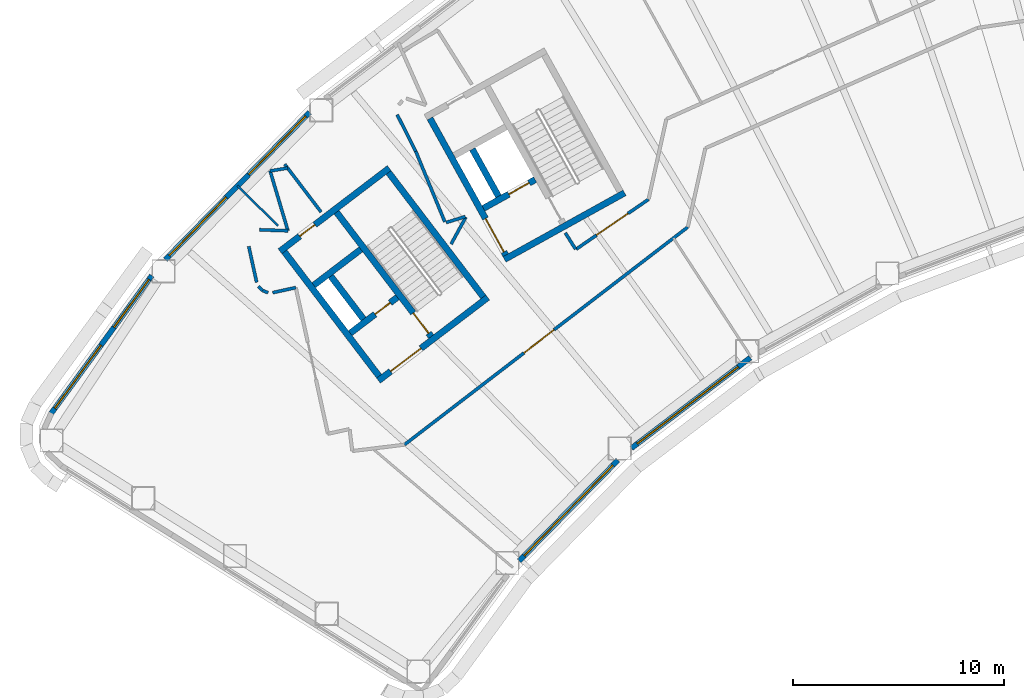
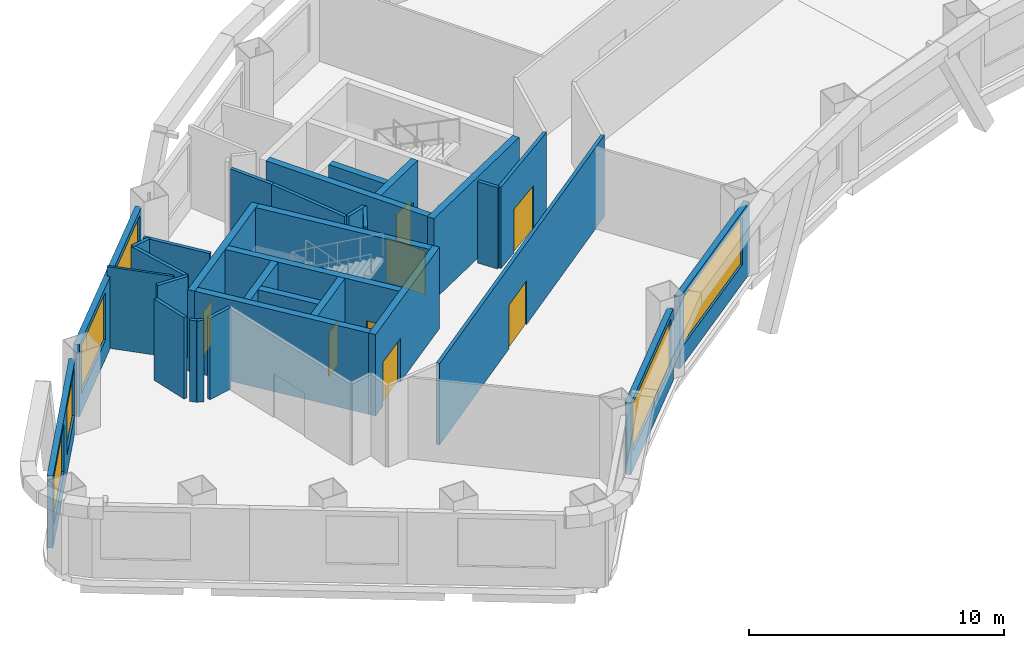
# One storey, part 3 of 13: 32 walls, 8 doors, 6 windows, 14 openings.
"""IFC4 building model written with IfcOpenShell, lengths in metres."""

from ifc_helpers import new_model, si_unit, direction, frame, frame_2d, origin, place, context, subcontext, project, spatial, rectangle, extrude, material, layer, layer_set, type_object, element, fill, save


model = new_model("IFC4")

# Units and contexts
model_context = context("Model", 3, precision=1e-05, world=origin(), true_north=direction((0.0, 1.0)))
body_context = subcontext(model_context, "Body", "Model", "MODEL_VIEW")
ifc_project = project(units=[si_unit("LENGTHUNIT", "METRE"), si_unit("AREAUNIT", "SQUARE_METRE"), si_unit("VOLUMEUNIT", "CUBIC_METRE"), si_unit("PLANEANGLEUNIT", "RADIAN"), si_unit("MASSUNIT", "GRAM", prefix="KILO")], contexts=[model_context])

# Site, building, storey
site_placement = place(None, origin())
site = spatial("IfcSite", under=ifc_project, at=site_placement, CompositionType="ELEMENT")
building_placement = place(site_placement, origin())
building = spatial("IfcBuilding", under=site, at=building_placement, Name="Tuul Gate Civic Tower", CompositionType="ELEMENT")
storey_placement = place(building_placement, frame((0.0, 0.0, 111.89990234375)))
storey = spatial("IfcBuildingStorey", under=building, at=storey_placement, Name="Level 25", CompositionType="ELEMENT", Elevation=111.89990234375)

# Wall, opening, door
ifc_material_1 = material(Name="Concrete C50/60", Category="concrete")
ifc_layer_1 = layer(ifc_material_1, 0.300048828125)
ifc_layer_set_1 = layer_set([ifc_layer_1], Name="Concrete C50/60")
wall_type_1 = type_object("IfcWallType", Name="Core wall C50/60", PredefinedType="SHEAR", material=ifc_layer_set_1)
wall_1_placement = place(storey_placement, frame((-31.19091796875, -13.669677734375, 0.0), z_axis=(0.0, 0.0, 1.0), x_axis=(-0.795606717756, -0.605813461934, 0.0)))
wall_1 = element("IfcWall", 1, at=wall_1_placement, inside=storey, type_object=wall_type_1, Name="Core wall", PredefinedType="SHEAR", context=body_context, shape_type="SweptSolid", body=[
    extrude(rectangle(XDim=6.5, YDim=0.300048828125, at=frame_2d((3.25, 0.0))), origin(), (0.0, 0.0, 1.0), 3.900146484375),
])
opening_1_placement = place(wall_1_placement, frame((3.97509765625, 0.0, 0.0)))
opening_1 = element("IfcOpeningElement", 2, at=opening_1_placement, cuts=wall_1, Name="Opening LB-W1-LOBBY-1", PredefinedType="OPENING", context=body_context, shape_type="SweptSolid", body=[
    extrude(rectangle(XDim=1.800048828125, YDim=2.10009765625, at=frame_2d((0.89990234375, 1.050048828125))), frame((0.0, 0.16015625, 0.0), z_axis=(0.0, -1.0, 0.0), x_axis=(1.0, 0.0, 0.0)), (0.0, 0.0, 1.0), 0.320068359375),
])
ifc_material_2 = material(Name="Steel", Category="steel")
door_type_1 = type_object("IfcDoorType", Name="Lobby door", OperationType="DOUBLE_DOOR_SINGLE_SWING", PredefinedType="DOOR", material=ifc_material_2)
door_1_placement = place(opening_1_placement, origin())
door_1 = element("IfcDoor", 3, at=door_1_placement, inside=storey, type_object=door_type_1, Name="Lobby door W1-LOBBY", OperationType="DOUBLE_DOOR_SINGLE_SWING", OverallHeight=2.10009765625, OverallWidth=1.800048828125, PredefinedType="DOOR", context=body_context, shape_type="SweptSolid", body=[
    extrude(rectangle(XDim=1.800048828125, YDim=2.10009765625, at=frame_2d((0.89990234375, 1.050048828125))), frame((0.0, 0.02490234375, 0.0), z_axis=(0.0, -1.0, 0.0), x_axis=(1.0, 0.0, 0.0)), (0.0, 0.0, 1.0), 0.050048828125),
])
fill(opening_1, door_1)

wall_2_placement = place(storey_placement, frame((-35.470947265625, -13.66064453125, 0.0), z_axis=(0.0, 0.0, 1.0), x_axis=(-0.795615822227, -0.605801504968, 0.0)))
wall_2 = element("IfcWall", 4, at=wall_2_placement, inside=storey, type_object=wall_type_1, Name="Core wall", PredefinedType="SHEAR", context=body_context, shape_type="SweptSolid", body=[
    extrude(rectangle(XDim=2.800048828125, YDim=0.300048828125, at=frame_2d((1.39990234375, 0.0))), origin(), (0.0, 0.0, 1.0), 3.900146484375),
])
opening_2_placement = place(wall_2_placement, frame((0.425048828125, 0.0, 0.0)))
opening_2 = element("IfcOpeningElement", 5, at=opening_2_placement, cuts=wall_2, Name="Opening FB-W1A1", PredefinedType="OPENING", context=body_context, shape_type="SweptSolid", body=[
    extrude(rectangle(XDim=0.89990234375, YDim=2.10009765625, at=frame_2d((0.449951171875, 1.050048828125))), frame((0.0, 0.16015625, 0.0), z_axis=(0.0, -1.0, 0.0), x_axis=(1.0, 0.0, 0.0)), (0.0, 0.0, 1.0), 0.320068359375),
])
ifc_material_3 = material(Name="Steel", Category="steel")
door_type_2 = type_object("IfcDoorType", Name="Store door", OperationType="NOTDEFINED", PredefinedType="DOOR", material=ifc_material_3)
door_2_placement = place(opening_2_placement, frame((0.89990234375, 0.0, 0.0), z_axis=(0.0, 0.0, 1.0), x_axis=(-1.0, 0.0, 0.0)))
door_2 = element("IfcDoor", 6, at=door_2_placement, inside=storey, type_object=door_type_2, Name="Store door W1A1", OperationType="SINGLE_SWING_RIGHT", OverallHeight=2.10009765625, OverallWidth=0.89990234375, PredefinedType="DOOR", context=body_context, shape_type="SweptSolid", body=[
    extrude(rectangle(XDim=0.89990234375, YDim=2.10009765625, at=frame_2d((0.449951171875, 1.050048828125))), frame((0.0, 0.02490234375, 0.0), z_axis=(0.0, -1.0, 0.0), x_axis=(1.0, 0.0, 0.0)), (0.0, 0.0, 1.0), 0.050048828125),
])
fill(opening_2, door_2)

# Wall
wall_3_placement = place(storey_placement, frame((-37.197509765625, -11.39306640625, 0.0), z_axis=(0.0, 0.0, 1.0), x_axis=(-0.795583820278, -0.605843531707, 0.0)))
element("IfcWall", 7, at=wall_3_placement, inside=storey, type_object=wall_type_1, Name="Core wall", PredefinedType="SHEAR", context=body_context, shape_type="SweptSolid", body=[
    extrude(rectangle(XDim=2.7998046875, YDim=0.300048828125, at=frame_2d((1.39990234375, 0.0))), origin(), (0.0, 0.0, 1.0), 3.900146484375),
])

# Wall, opening, door
wall_4_placement = place(storey_placement, frame((-35.855224609375, -7.543212890625, 0.0), z_axis=(0.0, 0.0, 1.0), x_axis=(-0.79563860527, -0.605771582202, 0.0)))
wall_4 = element("IfcWall", 8, at=wall_4_placement, inside=storey, type_object=wall_type_1, Name="Core wall", PredefinedType="SHEAR", context=body_context, shape_type="SweptSolid", body=[
    extrude(rectangle(XDim=6.5, YDim=0.300048828125, at=frame_2d((3.25, 0.0))), origin(), (0.0, 0.0, 1.0), 3.900146484375),
])
opening_3_placement = place(wall_4_placement, frame((4.425048828125, 0.0, 0.0)))
opening_3 = element("IfcOpeningElement", 9, at=opening_3_placement, cuts=wall_4, Name="Opening H-D17", PredefinedType="OPENING", context=body_context, shape_type="SweptSolid", body=[
    extrude(rectangle(XDim=0.89990234375, YDim=2.10009765625, at=frame_2d((0.449951171875, 1.050048828125))), frame((0.0, 0.16015625, 0.0), z_axis=(0.0, -1.0, 0.0), x_axis=(1.0, 0.0, 0.0)), (0.0, 0.0, 1.0), 0.320068359375),
])
ifc_material_4 = material(Name="Timber door leaf", Category="wood")
door_type_3 = type_object("IfcDoorType", Name="Door D09", OperationType="NOTDEFINED", PredefinedType="DOOR", material=ifc_material_4)
door_3_placement = place(opening_3_placement, origin())
door_3 = element("IfcDoor", 10, at=door_3_placement, inside=storey, type_object=door_type_3, Name="Door H-D17", OperationType="SINGLE_SWING_LEFT", OverallHeight=2.10009765625, OverallWidth=0.89990234375, PredefinedType="DOOR", context=body_context, shape_type="SweptSolid", body=[
    extrude(rectangle(XDim=0.89990234375, YDim=2.10009765625, at=frame_2d((0.449951171875, 1.050048828125))), frame((0.0, 0.02490234375, 0.0), z_axis=(0.0, -1.0, 0.0), x_axis=(1.0, 0.0, 0.0)), (0.0, 0.0, 1.0), 0.050048828125),
])
fill(opening_3, door_3)

# Wall
wall_5_placement = place(storey_placement, frame((-31.401123046875, -13.64111328125, 0.0), z_axis=(0.0, 0.0, 1.0), x_axis=(-0.605769822278, 0.795639945213, 0.0)))
element("IfcWall", 11, at=wall_5_placement, inside=storey, type_object=wall_type_1, Name="Core wall", PredefinedType="SHEAR", context=body_context, shape_type="SweptSolid", body=[
    extrude(rectangle(XDim=7.39990234375, YDim=0.300048828125, at=frame_2d((3.699951171875, 0.0))), origin(), (0.0, 0.0, 1.0), 3.900146484375),
])

# Wall, opening, door
wall_6_placement = place(storey_placement, frame((-33.867431640625, -15.51904296875, 0.0), z_axis=(0.0, 0.0, 1.0), x_axis=(-0.605769822278, 0.795639945213, 0.0)))
wall_6 = element("IfcWall", 12, at=wall_6_placement, inside=storey, type_object=wall_type_1, Name="Core wall", PredefinedType="SHEAR", context=body_context, shape_type="SweptSolid", body=[
    extrude(rectangle(XDim=7.39990234375, YDim=0.300048828125, at=frame_2d((3.699951171875, 0.0))), origin(), (0.0, 0.0, 1.0), 3.900146484375),
])
opening_4_placement = place(wall_6_placement, frame((0.199951171875, 0.0, 0.0)))
opening_4 = element("IfcOpeningElement", 13, at=opening_4_placement, cuts=wall_6, Name="Opening SD-ST-1", PredefinedType="OPENING", context=body_context, shape_type="SweptSolid", body=[
    extrude(rectangle(XDim=1.199951171875, YDim=2.10009765625, at=frame_2d((0.60009765625, 1.050048828125))), frame((0.0, 0.16015625, 0.0), z_axis=(0.0, -1.0, 0.0), x_axis=(1.0, 0.0, 0.0)), (0.0, 0.0, 1.0), 0.320068359375),
])
ifc_material_5 = material(Name="Steel", Category="steel")
door_type_4 = type_object("IfcDoorType", Name="Stair door", OperationType="NOTDEFINED", PredefinedType="DOOR", material=ifc_material_5)
door_4_placement = place(opening_4_placement, origin())
door_4 = element("IfcDoor", 14, at=door_4_placement, inside=storey, type_object=door_type_4, Name="Stair door ST-1", OperationType="SINGLE_SWING_LEFT", OverallHeight=2.10009765625, OverallWidth=1.199951171875, PredefinedType="DOOR", context=body_context, shape_type="SweptSolid", body=[
    extrude(rectangle(XDim=1.199951171875, YDim=2.10009765625, at=frame_2d((0.60009765625, 1.050048828125))), frame((0.0, 0.02490234375, 0.0), z_axis=(0.0, -1.0, 0.0), x_axis=(1.0, 0.0, 0.0)), (0.0, 0.0, 1.0), 0.050048828125),
])
fill(opening_4, door_4)

# Walls
wall_7_placement = place(storey_placement, frame((-37.073486328125, -14.6923828125, 0.0), z_axis=(0.0, 0.0, 1.0), x_axis=(-0.605728760074, 0.79567120673, 0.0)))
element("IfcWall", 15, at=wall_7_placement, inside=storey, type_object=wall_type_1, Name="Core wall", PredefinedType="SHEAR", context=body_context, shape_type="SweptSolid", body=[
    extrude(rectangle(XDim=2.550048828125, YDim=0.300048828125, at=frame_2d((1.27490234375, 0.0))), origin(), (0.0, 0.0, 1.0), 3.900146484375),
])
wall_8_placement = place(storey_placement, frame((-36.333984375, -17.397216796875, 0.0), z_axis=(0.0, 0.0, 1.0), x_axis=(-0.605753921168, 0.795652051458, 0.0)))
element("IfcWall", 16, at=wall_8_placement, inside=storey, type_object=wall_type_1, Name="Core wall", PredefinedType="SHEAR", context=body_context, shape_type="SweptSolid", body=[
    extrude(rectangle(XDim=7.400146484375, YDim=0.300048828125, at=frame_2d((3.7001953125, 0.0))), origin(), (0.0, 0.0, 1.0), 3.900146484375),
])
wall_9_placement = place(storey_placement, frame((-24.711669921875, -8.7158203125, 0.0), z_axis=(0.0, 0.0, 1.0), x_axis=(-0.874629909008, -0.484791215132, 0.0)))
element("IfcWall", 17, at=wall_9_placement, inside=storey, type_object=wall_type_1, Name="Core wall", PredefinedType="SHEAR", context=body_context, shape_type="SweptSolid", body=[
    extrude(rectangle(XDim=6.5, YDim=0.300048828125, at=frame_2d((3.25, 0.0))), origin(), (0.0, 0.0, 1.0), 3.900146484375),
])

# Wall, opening, door
wall_10_placement = place(storey_placement, frame((-28.94580078125, -8.090087890625, 0.0), z_axis=(0.0, 0.0, 1.0), x_axis=(-0.874629840737, -0.484791338301, 0.0)))
wall_10 = element("IfcWall", 18, at=wall_10_placement, inside=storey, type_object=wall_type_1, Name="Core wall", PredefinedType="SHEAR", context=body_context, shape_type="SweptSolid", body=[
    extrude(rectangle(XDim=2.800048828125, YDim=0.300048828125, at=frame_2d((1.39990234375, 0.0))), origin(), (0.0, 0.0, 1.0), 3.900146484375),
])
opening_5_placement = place(wall_10_placement, frame((0.324951171875, 0.0, 0.0)))
opening_5 = element("IfcOpeningElement", 19, at=opening_5_placement, cuts=wall_10, Name="Opening LD-FF-1", PredefinedType="OPENING", context=body_context, shape_type="SweptSolid", body=[
    extrude(rectangle(XDim=1.10009765625, YDim=2.10009765625, at=frame_2d((0.550048828125, 1.050048828125))), frame((0.0, 0.16015625, 0.0), z_axis=(0.0, -1.0, 0.0), x_axis=(1.0, 0.0, 0.0)), (0.0, 0.0, 1.0), 0.320068359375),
])
ifc_material_6 = material(Name="Stainless steel", Category="steel")
door_type_5 = type_object("IfcDoorType", Name="Landing door", OperationType="DOUBLE_DOOR_SLIDING", PredefinedType="DOOR", material=ifc_material_6)
door_5_placement = place(opening_5_placement, origin())
door_5 = element("IfcDoor", 20, at=door_5_placement, inside=storey, type_object=door_type_5, Name="Fire-fighting lift FF-1 landing door", OperationType="DOUBLE_DOOR_SLIDING", OverallHeight=2.10009765625, OverallWidth=1.10009765625, PredefinedType="DOOR", context=body_context, shape_type="SweptSolid", body=[
    extrude(rectangle(XDim=1.10009765625, YDim=2.10009765625, at=frame_2d((0.550048828125, 1.050048828125))), frame((0.0, 0.02490234375, 0.0), z_axis=(0.0, -1.0, 0.0), x_axis=(1.0, 0.0, 0.0)), (0.0, 0.0, 1.0), 0.050048828125),
])
fill(opening_5, door_5)

# Wall
wall_11_placement = place(storey_placement, frame((-30.680419921875, -8.8798828125, 0.0), z_axis=(0.0, 0.0, 1.0), x_axis=(-0.484724115216, 0.874667097888, 0.0)))
element("IfcWall", 21, at=wall_11_placement, inside=storey, type_object=wall_type_1, Name="Core wall", PredefinedType="SHEAR", context=body_context, shape_type="SweptSolid", body=[
    extrude(rectangle(XDim=2.550048828125, YDim=0.300048828125, at=frame_2d((1.27490234375, 0.0))), origin(), (0.0, 0.0, 1.0), 3.900146484375),
])

# Wall, opening, door
wall_12_placement = place(storey_placement, frame((-30.33837890625, -11.6630859375, 0.0), z_axis=(0.0, 0.0, 1.0), x_axis=(-0.484751894226, 0.874651702704, 0.0)))
wall_12 = element("IfcWall", 22, at=wall_12_placement, inside=storey, type_object=wall_type_1, Name="Core wall", PredefinedType="SHEAR", context=body_context, shape_type="SweptSolid", body=[
    extrude(rectangle(XDim=7.39990234375, YDim=0.300048828125, at=frame_2d((3.699951171875, 0.0))), origin(), (0.0, 0.0, 1.0), 3.900146484375),
])
opening_6_placement = place(wall_12_placement, frame((0.175048828125, 0.0, 0.0)))
opening_6 = element("IfcOpeningElement", 23, at=opening_6_placement, cuts=wall_12, Name="Opening LB-W2-FLOBBY-1", PredefinedType="OPENING", context=body_context, shape_type="SweptSolid", body=[
    extrude(rectangle(XDim=1.800048828125, YDim=2.10009765625, at=frame_2d((0.89990234375, 1.050048828125))), frame((0.0, 0.16015625, 0.0), z_axis=(0.0, -1.0, 0.0), x_axis=(1.0, 0.0, 0.0)), (0.0, 0.0, 1.0), 0.320068359375),
])
door_6_placement = place(opening_6_placement, frame((1.800048828125, 0.0, 0.0), z_axis=(0.0, 0.0, 1.0), x_axis=(-1.0, 0.0, 0.0)))
door_6 = element("IfcDoor", 24, at=door_6_placement, inside=storey, type_object=door_type_1, Name="Lobby door W2-FLOBBY", OperationType="DOUBLE_DOOR_SINGLE_SWING", OverallHeight=2.10009765625, OverallWidth=1.800048828125, PredefinedType="DOOR", context=body_context, shape_type="SweptSolid", body=[
    extrude(rectangle(XDim=1.800048828125, YDim=2.10009765625, at=frame_2d((0.900146484375, 1.050048828125))), frame((0.0, 0.02490234375, 0.0), z_axis=(0.0, -1.0, 0.0), x_axis=(1.0, 0.0, 0.0)), (0.0, 0.0, 1.0), 0.050048828125),
])
fill(opening_6, door_6)

ifc_material_7 = material(Name="Gypsum board partition")
ifc_layer_2 = layer(ifc_material_7, 0.14990234375)
ifc_layer_set_2 = layer_set([ifc_layer_2], Name="Gypsum board partition")
wall_type_2 = type_object("IfcWallType", Name="Corridor wall P150", PredefinedType="PARTITIONING", material=ifc_layer_set_2)
wall_13_placement = place(storey_placement, frame((-27.004638671875, -11.3837890625, 0.0), z_axis=(0.0, 0.0, 1.0), x_axis=(0.823611795326, 0.567153956699, 0.0)))
wall_13 = element("IfcWall", 25, at=wall_13_placement, inside=storey, type_object=wall_type_2, Name="p029", PredefinedType="PARTITIONING", context=body_context, shape_type="SweptSolid", body=[
    extrude(rectangle(XDim=4.1591796875, YDim=0.14990234375, at=frame_2d((2.07958984375, 0.0))), origin(), (0.0, 0.0, 1.0), 3.900146484375),
])
opening_7_placement = place(wall_13_placement, frame((1.1796875, 0.0, 0.0)))
opening_7 = element("IfcOpeningElement", 26, at=opening_7_placement, cuts=wall_13, Name="Opening H-D09", PredefinedType="OPENING", context=body_context, shape_type="SweptSolid", body=[
    extrude(rectangle(XDim=1.800048828125, YDim=2.10009765625, at=frame_2d((0.89990234375, 1.050048828125))), frame((0.0, 0.0849609375, 0.0), z_axis=(0.0, -1.0, 0.0), x_axis=(1.0, 0.0, 0.0)), (0.0, 0.0, 1.0), 0.169921875),
])
ifc_material_8 = material(Name="Timber door leaf, double", Category="wood")
door_type_6 = type_object("IfcDoorType", Name="Door D18", OperationType="DOUBLE_DOOR_SINGLE_SWING", PredefinedType="DOOR", material=ifc_material_8)
door_7_placement = place(opening_7_placement, frame((1.800048828125, 0.0, 0.0), z_axis=(0.0, 0.0, 1.0), x_axis=(-1.0, 0.0, 0.0)))
door_7 = element("IfcDoor", 27, at=door_7_placement, inside=storey, type_object=door_type_6, Name="Door H-D09", OperationType="DOUBLE_DOOR_SINGLE_SWING", OverallHeight=2.10009765625, OverallWidth=1.800048828125, PredefinedType="DOOR", context=body_context, shape_type="SweptSolid", body=[
    extrude(rectangle(XDim=1.800048828125, YDim=2.10009765625, at=frame_2d((0.900146484375, 1.050048828125))), frame((0.0, 0.02490234375, 0.0), z_axis=(0.0, -1.0, 0.0), x_axis=(1.0, 0.0, 0.0)), (0.0, 0.0, 1.0), 0.050048828125),
])
fill(opening_7, door_7)

# Walls
wall_14_placement = place(storey_placement, frame((-27.515625, -10.613037109375, 0.0), z_axis=(0.0, 0.0, 1.0), x_axis=(0.533078253111, -0.846065940728, 0.0)))
element("IfcWall", 28, at=wall_14_placement, inside=storey, type_object=wall_type_2, Name="p031", PredefinedType="PARTITIONING", context=body_context, shape_type="SweptSolid", body=[
    extrude(rectangle(XDim=0.904052734375, YDim=0.14990234375, at=frame_2d((0.4521484375, 0.0))), origin(), (0.0, 0.0, 1.0), 3.900146484375),
])
wall_15_placement = place(storey_placement, frame((-35.477294921875, -5.01611328125, 0.0), z_axis=(0.0, 0.0, 1.0), x_axis=(0.452429691742, -0.891800075146, 0.0)))
element("IfcWall", 29, at=wall_15_placement, inside=storey, type_object=wall_type_2, Name="p036", PredefinedType="PARTITIONING", context=body_context, shape_type="SweptSolid", body=[
    extrude(rectangle(XDim=1.9443359375, YDim=0.14990234375, at=frame_2d((0.97216796875, 0.0))), origin(), (0.0, 0.0, 1.0), 3.900146484375),
])
wall_16_placement = place(storey_placement, frame((-34.59765625, -6.75, 0.0), z_axis=(0.0, 0.0, 1.0), x_axis=(0.381059292189, -0.924550602096, 0.0)))
element("IfcWall", 30, at=wall_16_placement, inside=storey, type_object=wall_type_2, Name="p038", PredefinedType="PARTITIONING", context=body_context, shape_type="SweptSolid", body=[
    extrude(rectangle(XDim=3.6103515625, YDim=0.14990234375, at=frame_2d((1.80517578125, 0.0))), origin(), (0.0, 0.0, 1.0), 3.900146484375),
])
wall_17_placement = place(storey_placement, frame((-33.16357421875, -10.122314453125, 0.0), z_axis=(0.0, 0.0, 1.0), x_axis=(0.955346142768, 0.295488997254, 0.0)))
element("IfcWall", 31, at=wall_17_placement, inside=storey, type_object=wall_type_2, Name="p039", PredefinedType="PARTITIONING", context=body_context, shape_type="SweptSolid", body=[
    extrude(rectangle(XDim=0.953369140625, YDim=0.14990234375, at=frame_2d((0.4765625, 0.0))), origin(), (0.0, 0.0, 1.0), 3.900146484375),
])
wall_18_placement = place(storey_placement, frame((-32.92578125, -11.143310546875, 0.0), z_axis=(0.0, 0.0, 1.0), x_axis=(0.47973548541, 0.877413166096, 0.0)))
element("IfcWall", 32, at=wall_18_placement, inside=storey, type_object=wall_type_2, Name="p040", PredefinedType="PARTITIONING", context=body_context, shape_type="SweptSolid", body=[
    extrude(rectangle(XDim=1.451904296875, YDim=0.14990234375, at=frame_2d((0.72607421875, 0.0))), origin(), (0.0, 0.0, 1.0), 3.900146484375),
])
wall_19_placement = place(storey_placement, frame((-40.8037109375, -7.359130859375, 0.0), z_axis=(0.0, 0.0, 1.0), x_axis=(0.605725078966, -0.795674009071, 0.0)))
element("IfcWall", 33, at=wall_19_placement, inside=storey, type_object=wall_type_2, Name="p041", PredefinedType="PARTITIONING", context=body_context, shape_type="SweptSolid", body=[
    extrude(rectangle(XDim=2.84423828125, YDim=0.14990234375, at=frame_2d((1.422119140625, 0.0))), origin(), (0.0, 0.0, 1.0), 3.900146484375),
])
wall_20_placement = place(storey_placement, frame((-41.4931640625, -7.67822265625, 0.0), z_axis=(0.0, 0.0, 1.0), x_axis=(0.986914959922, 0.161241625775, 0.0)))
element("IfcWall", 34, at=wall_20_placement, inside=storey, type_object=wall_type_2, Name="p042", PredefinedType="PARTITIONING", context=body_context, shape_type="SweptSolid", body=[
    extrude(rectangle(XDim=0.84033203125, YDim=0.14990234375, at=frame_2d((0.420166015625, 0.0))), origin(), (0.0, 0.0, 1.0), 3.900146484375),
])
wall_21_placement = place(storey_placement, frame((-41.4931640625, -7.67822265625, 0.0), z_axis=(0.0, 0.0, 1.0), x_axis=(0.285339395908, -0.958426538209, 0.0)))
element("IfcWall", 35, at=wall_21_placement, inside=storey, type_object=wall_type_2, Name="p043", PredefinedType="PARTITIONING", context=body_context, shape_type="SweptSolid", body=[
    extrude(rectangle(XDim=2.9560546875, YDim=0.14990234375, at=frame_2d((1.47802734375, 0.0))), origin(), (0.0, 0.0, 1.0), 3.900146484375),
])
wall_22_placement = place(storey_placement, frame((-42.003173828125, -10.4638671875, 0.0), z_axis=(0.0, 0.0, 1.0), x_axis=(0.999381997764, -0.035151423082, 0.0)))
element("IfcWall", 36, at=wall_22_placement, inside=storey, type_object=wall_type_2, Name="p045", PredefinedType="PARTITIONING", context=body_context, shape_type="SweptSolid", body=[
    extrude(rectangle(XDim=1.354248046875, YDim=0.14990234375, at=frame_2d((0.67724609375, 0.0))), origin(), (0.0, 0.0, 1.0), 3.900146484375),
])
wall_23_placement = place(storey_placement, frame((-42.505126953125, -11.248779296875, 0.0), z_axis=(0.0, 0.0, 1.0), x_axis=(0.214674657513, -0.976685615447, 0.0)))
element("IfcWall", 37, at=wall_23_placement, inside=storey, type_object=wall_type_2, Name="p047", PredefinedType="PARTITIONING", context=body_context, shape_type="SweptSolid", body=[
    extrude(rectangle(XDim=1.7421875, YDim=0.14990234375, at=frame_2d((0.87109375, 0.0))), origin(), (0.0, 0.0, 1.0), 3.900146484375),
])
wall_24_placement = place(storey_placement, frame((-42.047607421875, -13.14404296875, 0.0), z_axis=(0.0, 0.0, 1.0), x_axis=(0.714510426493, -0.699624792608, 0.0)))
element("IfcWall", 38, at=wall_24_placement, inside=storey, type_object=wall_type_2, Name="p048", PredefinedType="PARTITIONING", context=body_context, shape_type="SweptSolid", body=[
    extrude(rectangle(XDim=0.27880859375, YDim=0.14990234375, at=frame_2d((0.139404296875, 0.0))), origin(), (0.0, 0.0, 1.0), 3.900146484375),
])
wall_25_placement = place(storey_placement, frame((-41.848388671875, -13.339111328125, 0.0), z_axis=(0.0, 0.0, 1.0), x_axis=(0.927514396304, -0.373787432438, 0.0)))
element("IfcWall", 39, at=wall_25_placement, inside=storey, type_object=wall_type_2, Name="p049", PredefinedType="PARTITIONING", context=body_context, shape_type="SweptSolid", body=[
    extrude(rectangle(XDim=0.28076171875, YDim=0.14990234375, at=frame_2d((0.140380859375, 0.0))), origin(), (0.0, 0.0, 1.0), 3.900146484375),
])
wall_26_placement = place(storey_placement, frame((-41.370361328125, -13.44140625, 0.0), z_axis=(0.0, 0.0, 1.0), x_axis=(0.976662802871, 0.214778419513, 0.0)))
element("IfcWall", 40, at=wall_26_placement, inside=storey, type_object=wall_type_2, Name="p050", PredefinedType="PARTITIONING", context=body_context, shape_type="SweptSolid", body=[
    extrude(rectangle(XDim=1.117431640625, YDim=0.14990234375, at=frame_2d((0.55859375, 0.0))), origin(), (0.0, 0.0, 1.0), 3.900146484375),
])

# Wall, opening, door
wall_27_placement = place(storey_placement, frame((-35.131103515625, -20.638671875, 0.0), z_axis=(0.0, 0.0, 1.0), x_axis=(0.793050354542, 0.6091560844, 0.0)))
wall_27 = element("IfcWall", 41, at=wall_27_placement, inside=storey, type_object=wall_type_2, Name="p070", PredefinedType="PARTITIONING", context=body_context, shape_type="SweptSolid", body=[
    extrude(rectangle(XDim=16.9150390625, YDim=0.14990234375, at=frame_2d((8.45751953125, 0.0))), origin(), (0.0, 0.0, 1.0), 3.900146484375),
])
opening_8_placement = place(wall_27_placement, frame((7.128173828125, 0.0, 0.0)))
opening_8 = element("IfcOpeningElement", 42, at=opening_8_placement, cuts=wall_27, Name="Opening H-D13", PredefinedType="OPENING", context=body_context, shape_type="SweptSolid", body=[
    extrude(rectangle(XDim=1.800048828125, YDim=2.10009765625, at=frame_2d((0.89990234375, 1.050048828125))), frame((0.0, 0.0849609375, 0.0), z_axis=(0.0, -1.0, 0.0), x_axis=(1.0, 0.0, 0.0)), (0.0, 0.0, 1.0), 0.169921875),
])
door_8_placement = place(opening_8_placement, frame((1.800048828125, 0.0, 0.0), z_axis=(0.0, 0.0, 1.0), x_axis=(-1.0, 0.0, 0.0)))
door_8 = element("IfcDoor", 43, at=door_8_placement, inside=storey, type_object=door_type_6, Name="Door H-D13", OperationType="DOUBLE_DOOR_SINGLE_SWING", OverallHeight=2.10009765625, OverallWidth=1.800048828125, PredefinedType="DOOR", context=body_context, shape_type="SweptSolid", body=[
    extrude(rectangle(XDim=1.800048828125, YDim=2.10009765625, at=frame_2d((0.900146484375, 1.050048828125))), frame((0.0, 0.02490234375, 0.0), z_axis=(0.0, -1.0, 0.0), x_axis=(1.0, 0.0, 0.0)), (0.0, 0.0, 1.0), 0.050048828125),
])
fill(opening_8, door_8)

# Wall, openings, windows
ifc_material_9 = material(Name="Precast concrete C40/50", Category="concrete")
ifc_layer_3 = layer(ifc_material_9, 0.25)
ifc_layer_set_3 = layer_set([ifc_layer_3], Name="Precast concrete C40/50")
wall_type_3 = type_object("IfcWallType", Name="External wall", PredefinedType="STANDARD", material=ifc_layer_set_3)
wall_28_placement = place(storey_placement, frame((-39.618896484375, -4.901611328125, 0.0), z_axis=(0.0, 0.0, 1.0), x_axis=(-0.699999704783, -0.714143132224, 0.0)))
wall_28 = element("IfcWall", 44, at=wall_28_placement, inside=storey, type_object=wall_type_3, Name="External wall", PredefinedType="STANDARD", context=body_context, shape_type="SweptSolid", body=[
    extrude(rectangle(XDim=9.770263671875, YDim=0.25, at=frame_2d((4.88525390625, 0.0))), origin(), (0.0, 0.0, 1.0), 3.4501953125),
])
opening_9_placement = place(wall_28_placement, frame((0.273193359375, 0.0, 0.89990234375)))
opening_9 = element("IfcOpeningElement", 45, at=opening_9_placement, cuts=wall_28, Name="Opening W22", PredefinedType="OPENING", context=body_context, shape_type="SweptSolid", body=[
    extrude(rectangle(XDim=3.85009765625, YDim=2.300048828125, at=frame_2d((1.925048828125, 1.14990234375))), frame((0.0, 0.135009765625, 0.0), z_axis=(0.0, -1.0, 0.0), x_axis=(1.0, 0.0, 0.0)), (0.0, 0.0, 1.0), 0.27001953125),
])
opening_10_placement = place(wall_28_placement, frame((5.64453125, 0.0, 0.89990234375)))
opening_10 = element("IfcOpeningElement", 46, at=opening_10_placement, cuts=wall_28, Name="Opening W22", PredefinedType="OPENING", context=body_context, shape_type="SweptSolid", body=[
    extrude(rectangle(XDim=3.85009765625, YDim=2.300048828125, at=frame_2d((1.925048828125, 1.14990234375))), frame((0.0, 0.135009765625, 0.0), z_axis=(0.0, -1.0, 0.0), x_axis=(1.0, 0.0, 0.0)), (0.0, 0.0, 1.0), 0.27001953125),
])
ifc_material_10 = material(Name="Glass", Category="glass")
window_type_1 = type_object("IfcWindowType", Name="Window W22 3850 x 2300", PartitioningType="SINGLE_PANEL", PredefinedType="WINDOW", material=ifc_material_10)
window_1_placement = place(opening_9_placement, origin())
window_1 = element("IfcWindow", 47, at=window_1_placement, inside=storey, type_object=window_type_1, Name="Window", OverallHeight=2.300048828125, OverallWidth=3.85009765625, PartitioningType="SINGLE_PANEL", PredefinedType="WINDOW", context=body_context, shape_type="SweptSolid", body=[
    extrude(rectangle(XDim=3.85009765625, YDim=2.300048828125, at=frame_2d((1.925048828125, 1.14990234375))), frame((0.0, 0.030029296875, 0.0), z_axis=(0.0, -1.0, 0.0), x_axis=(1.0, 0.0, 0.0)), (0.0, 0.0, 1.0), 0.06005859375),
])
fill(opening_9, window_1)
window_2_placement = place(opening_10_placement, origin())
window_2 = element("IfcWindow", 48, at=window_2_placement, inside=storey, type_object=window_type_1, Name="Window", OverallHeight=2.300048828125, OverallWidth=3.85009765625, PartitioningType="SINGLE_PANEL", PredefinedType="WINDOW", context=body_context, shape_type="SweptSolid", body=[
    extrude(rectangle(XDim=3.85009765625, YDim=2.300048828125, at=frame_2d((1.925048828125, 1.14990234375))), frame((0.0, 0.030029296875, 0.0), z_axis=(0.0, -1.0, 0.0), x_axis=(1.0, 0.0, 0.0)), (0.0, 0.0, 1.0), 0.06005859375),
])
fill(opening_10, window_2)

wall_29_placement = place(storey_placement, frame((-47.093017578125, -12.6318359375, 0.0), z_axis=(0.0, 0.0, 1.0), x_axis=(-0.589890871529, -0.807482977955, 0.0)))
wall_29 = element("IfcWall", 49, at=wall_29_placement, inside=storey, type_object=wall_type_3, Name="External wall", PredefinedType="STANDARD", context=body_context, shape_type="SweptSolid", body=[
    extrude(rectangle(XDim=8.0830078125, YDim=0.25, at=frame_2d((4.04150390625, 0.0))), origin(), (0.0, 0.0, 1.0), 3.4501953125),
])
opening_11_placement = place(wall_29_placement, frame((0.23046875, 0.0, 0.89990234375)))
opening_11 = element("IfcOpeningElement", 50, at=opening_11_placement, cuts=wall_29, Name="Opening W23", PredefinedType="OPENING", context=body_context, shape_type="SweptSolid", body=[
    extrude(rectangle(XDim=2.800048828125, YDim=2.300048828125, at=frame_2d((1.39990234375, 1.14990234375))), frame((0.0, 0.135009765625, 0.0), z_axis=(0.0, -1.0, 0.0), x_axis=(1.0, 0.0, 0.0)), (0.0, 0.0, 1.0), 0.27001953125),
])
opening_12_placement = place(wall_29_placement, frame((4.08203125, 0.0, 0.89990234375)))
opening_12 = element("IfcOpeningElement", 51, at=opening_12_placement, cuts=wall_29, Name="Opening W21", PredefinedType="OPENING", context=body_context, shape_type="SweptSolid", body=[
    extrude(rectangle(XDim=3.699951171875, YDim=2.300048828125, at=frame_2d((1.85009765625, 1.14990234375))), frame((0.0, 0.135009765625, 0.0), z_axis=(0.0, -1.0, 0.0), x_axis=(1.0, 0.0, 0.0)), (0.0, 0.0, 1.0), 0.27001953125),
])
ifc_material_11 = material(Name="Glass", Category="glass")
window_type_2 = type_object("IfcWindowType", Name="Window W21 3700 x 2300", PartitioningType="SINGLE_PANEL", PredefinedType="WINDOW", material=ifc_material_11)
window_3_placement = place(opening_12_placement, origin())
window_3 = element("IfcWindow", 52, at=window_3_placement, inside=storey, type_object=window_type_2, Name="Window", OverallHeight=2.300048828125, OverallWidth=3.699951171875, PartitioningType="SINGLE_PANEL", PredefinedType="WINDOW", context=body_context, shape_type="SweptSolid", body=[
    extrude(rectangle(XDim=3.699951171875, YDim=2.300048828125, at=frame_2d((1.85009765625, 1.14990234375))), frame((0.0, 0.030029296875, 0.0), z_axis=(0.0, -1.0, 0.0), x_axis=(1.0, 0.0, 0.0)), (0.0, 0.0, 1.0), 0.06005859375),
])
fill(opening_12, window_3)
ifc_material_12 = material(Name="Glass", Category="glass")
window_type_3 = type_object("IfcWindowType", Name="Window W23 2800 x 2300", PartitioningType="SINGLE_PANEL", PredefinedType="WINDOW", material=ifc_material_12)
window_4_placement = place(opening_11_placement, origin())
window_4 = element("IfcWindow", 53, at=window_4_placement, inside=storey, type_object=window_type_3, Name="Window", OverallHeight=2.300048828125, OverallWidth=2.800048828125, PartitioningType="SINGLE_PANEL", PredefinedType="WINDOW", context=body_context, shape_type="SweptSolid", body=[
    extrude(rectangle(XDim=2.800048828125, YDim=2.300048828125, at=frame_2d((1.39990234375, 1.14990234375))), frame((0.0, 0.030029296875, 0.0), z_axis=(0.0, -1.0, 0.0), x_axis=(1.0, 0.0, 0.0)), (0.0, 0.0, 1.0), 0.06005859375),
])
fill(opening_11, window_4)

# Wall, opening, window
wall_30_placement = place(storey_placement, frame((-29.701904296875, -26.141357421875, 0.0), z_axis=(0.0, 0.0, 1.0), x_axis=(0.700005324082, 0.714137624171, 0.0)))
wall_30 = element("IfcWall", 54, at=wall_30_placement, inside=storey, type_object=wall_type_3, Name="External wall", PredefinedType="STANDARD", context=body_context, shape_type="SweptSolid", body=[
    extrude(rectangle(XDim=6.685546875, YDim=0.25, at=frame_2d((3.3427734375, 0.0))), origin(), (0.0, 0.0, 1.0), 3.4501953125),
])
opening_13_placement = place(wall_30_placement, frame((0.341552734375, 0.0, 0.89990234375)))
opening_13 = element("IfcOpeningElement", 55, at=opening_13_placement, cuts=wall_30, Name="Opening W26", PredefinedType="OPENING", context=body_context, shape_type="SweptSolid", body=[
    extrude(rectangle(XDim=6.0, YDim=2.300048828125, at=frame_2d((3.0, 1.14990234375))), frame((0.0, 0.135009765625, 0.0), z_axis=(0.0, -1.0, 0.0), x_axis=(1.0, 0.0, 0.0)), (0.0, 0.0, 1.0), 0.27001953125),
])
ifc_material_13 = material(Name="Glass", Category="glass")
window_type_4 = type_object("IfcWindowType", Name="Window W26 6000 x 2300", PartitioningType="SINGLE_PANEL", PredefinedType="WINDOW", material=ifc_material_13)
window_5_placement = place(opening_13_placement, origin())
window_5 = element("IfcWindow", 56, at=window_5_placement, inside=storey, type_object=window_type_4, Name="Window", OverallHeight=2.300048828125, OverallWidth=6.0, PartitioningType="SINGLE_PANEL", PredefinedType="WINDOW", context=body_context, shape_type="SweptSolid", body=[
    extrude(rectangle(XDim=6.0, YDim=2.300048828125, at=frame_2d((3.0, 1.14990234375))), frame((0.0, 0.030029296875, 0.0), z_axis=(0.0, -1.0, 0.0), x_axis=(1.0, 0.0, 0.0)), (0.0, 0.0, 1.0), 0.06005859375),
])
fill(opening_13, window_5)

wall_31_placement = place(storey_placement, frame((-24.387939453125, -20.806640625, 0.0), z_axis=(0.0, 0.0, 1.0), x_axis=(0.79558062628, 0.60584772599, 0.0)))
wall_31 = element("IfcWall", 57, at=wall_31_placement, inside=storey, type_object=wall_type_3, Name="External wall", PredefinedType="STANDARD", context=body_context, shape_type="SweptSolid", body=[
    extrude(rectangle(XDim=7.07470703125, YDim=0.25, at=frame_2d((3.537353515625, 0.0))), origin(), (0.0, 0.0, 1.0), 3.4501953125),
])
opening_14_placement = place(wall_31_placement, frame((0.3525390625, 0.0, 0.89990234375)))
opening_14 = element("IfcOpeningElement", 58, at=opening_14_placement, cuts=wall_31, Name="Opening W26", PredefinedType="OPENING", context=body_context, shape_type="SweptSolid", body=[
    extrude(rectangle(XDim=6.0, YDim=2.300048828125, at=frame_2d((3.0, 1.14990234375))), frame((0.0, 0.135009765625, 0.0), z_axis=(0.0, -1.0, 0.0), x_axis=(1.0, 0.0, 0.0)), (0.0, 0.0, 1.0), 0.27001953125),
])
window_6_placement = place(opening_14_placement, origin())
window_6 = element("IfcWindow", 59, at=window_6_placement, inside=storey, type_object=window_type_4, Name="Window", OverallHeight=2.300048828125, OverallWidth=6.0, PartitioningType="SINGLE_PANEL", PredefinedType="WINDOW", context=body_context, shape_type="SweptSolid", body=[
    extrude(rectangle(XDim=6.0, YDim=2.300048828125, at=frame_2d((3.0, 1.14990234375))), frame((0.0, 0.030029296875, 0.0), z_axis=(0.0, -1.0, 0.0), x_axis=(1.0, 0.0, 0.0)), (0.0, 0.0, 1.0), 0.06005859375),
])
fill(opening_14, window_6)

# Wall
ifc_material_14 = material(Name="Gypsum board partition")
ifc_layer_4 = layer(ifc_material_14, 0.10009765625)
ifc_layer_set_4 = layer_set([ifc_layer_4], Name="Gypsum board partition")
wall_type_4 = type_object("IfcWallType", Name="Partition P100", PredefinedType="PARTITIONING", material=ifc_layer_set_4)
wall_32_placement = place(storey_placement, frame((-43.04150390625, -8.385986328125, 0.0), z_axis=(0.0, 0.0, 1.0), x_axis=(0.714148429826, -0.699994300103, 0.0)))
element("IfcWall", 60, at=wall_32_placement, inside=storey, type_object=wall_type_4, Name="p027", PredefinedType="PARTITIONING", context=body_context, shape_type="SweptSolid", body=[
    extrude(rectangle(XDim=2.69091796875, YDim=0.10009765625, at=frame_2d((1.345458984375, 0.0))), origin(), (0.0, 0.0, 1.0), 3.900146484375),
])

save(model, "model.ifc")
